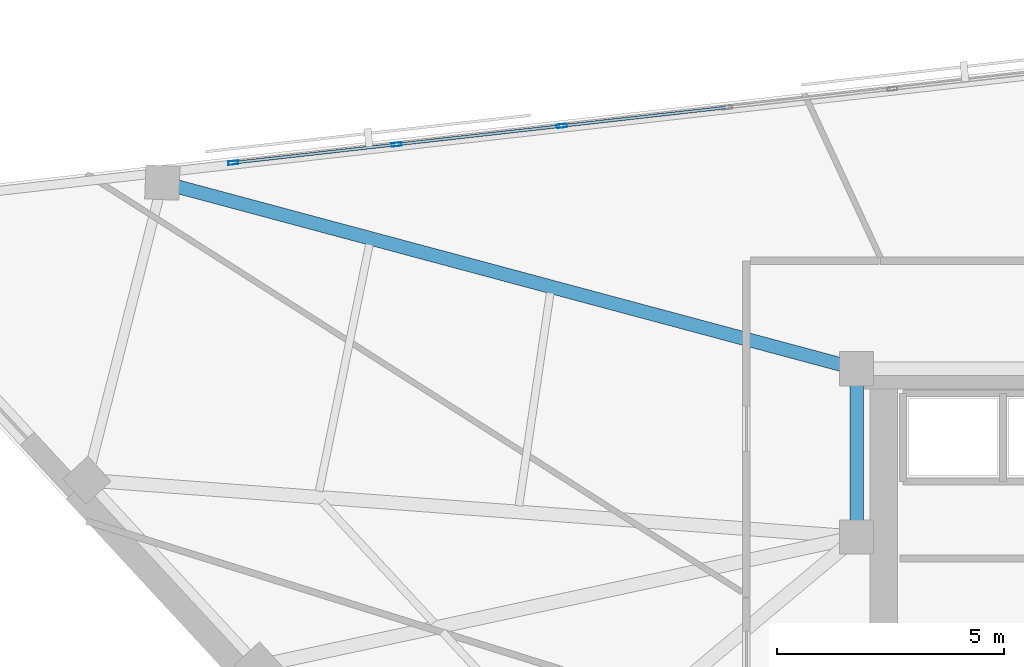
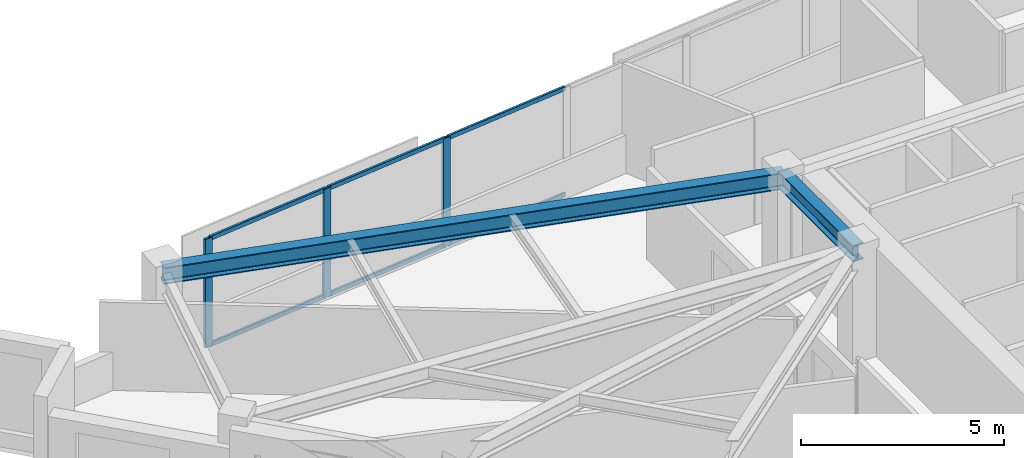
# One storey, part 2 of 13: 9 members, 2 beams, 1 element without a shape of its own.
"""IFC4 building model written with IfcOpenShell, lengths in metres."""

from ifc_helpers import new_model, si_unit, direction, frame, origin, origin_2d, place, context, subcontext, project, spatial, hollow_rectangle, i_section, extrude, material, material_profile, profile_set, type_object, element, aggregate, save


model = new_model("IFC4")

# Units and contexts
model_context = context("Model", 3, precision=1e-05, world=origin(), true_north=direction((0.0, 1.0)))
body_context = subcontext(model_context, "Body", "Model", "MODEL_VIEW")
ifc_project = project(units=[si_unit("LENGTHUNIT", "METRE"), si_unit("AREAUNIT", "SQUARE_METRE"), si_unit("VOLUMEUNIT", "CUBIC_METRE"), si_unit("PLANEANGLEUNIT", "RADIAN"), si_unit("MASSUNIT", "GRAM", prefix="KILO")], contexts=[model_context])

# Site, building, storey
site_placement = place(None, origin())
site = spatial("IfcSite", under=ifc_project, at=site_placement, CompositionType="ELEMENT")
building_placement = place(site_placement, origin())
building = spatial("IfcBuilding", under=site, at=building_placement, Name="Narakoshi Arena Tower", CompositionType="ELEMENT")
storey_placement = place(building_placement, frame((0.0, 0.0, 271.300048828125)))
storey = spatial("IfcBuildingStorey", under=building, at=storey_placement, Name="L74", CompositionType="ELEMENT", Elevation=271.300048828125)

# Beams
ifc_material_1 = material(Name="Structural steel S355J2", Category="steel")
ifc_material_profile_1 = material_profile(ifc_material_1, i_section(OverallWidth=0.300048828125, OverallDepth=0.5, WebThickness=0.014404296875, FlangeThickness=0.028076171875, FilletRadius=0.027099609375, at=origin_2d()), Name="HE500B")
ifc_profile_set_1 = profile_set([ifc_material_profile_1], Name="Structural steel S355J2")
beam_type = type_object("IfcBeamType", Name="BM-PRI-500", PredefinedType="BEAM", material=ifc_profile_set_1)
beam_1_placement = place(storey_placement, frame((72.0, 56.5, 3.010009765625), z_axis=(-0.965877018817, 0.259001128418, 0.0), x_axis=(-0.259001128418, -0.965877018817, 0.0)))
element("IfcBeam", 1, at=beam_1_placement, inside=storey, type_object=beam_type, Name="L74 Radial Primary Floor Girder 08", PredefinedType="BEAM", context=body_context, shape_type="SweptSolid", body=[
    extrude(i_section(OverallWidth=0.300048828125, OverallDepth=0.5, WebThickness=0.014404296875, FlangeThickness=0.028076171875, FilletRadius=0.027099609375, at=origin_2d()), origin(), (0.0, 0.0, 1.0), 15.822998046875),
])
beam_2_placement = place(storey_placement, frame((72.0, 52.800048828125, 3.010009765625), z_axis=(0.0, 1.0, 0.0), x_axis=(-1.0, 0.0, 0.0)))
element("IfcBeam", 2, at=beam_2_placement, inside=storey, type_object=beam_type, Name="L74 Core Perimeter Frame Beam CC4-CC5", PredefinedType="BEAM", context=body_context, shape_type="SweptSolid", body=[
    extrude(i_section(OverallWidth=0.300048828125, OverallDepth=0.5, WebThickness=0.014404296875, FlangeThickness=0.028076171875, FilletRadius=0.027099609375, at=origin_2d()), origin(), (0.0, 0.0, 1.0), 3.699951171875),
])

# Curtain wall, members
ifc_material_2 = material(Name="Anodised bronze aluminium 6063-T6", Category="aluminium")
curtain_wall_type = type_object("IfcCurtainWallType", Name="CW-HYP-HIGH", PredefinedType="NOTDEFINED", material=ifc_material_2)
curtain_wall_placement = place(storey_placement, origin())
curtain_wall = element("IfcCurtainWall", 3, at=curtain_wall_placement, inside=storey, type_object=curtain_wall_type, Name="L74 Folded Hypotenuse Curtain Wall 2-1", PredefinedType="NOTDEFINED")
ifc_material_profile_2 = material_profile(ifc_material_2, hollow_rectangle(XDim=0.080078125, YDim=0.219970703125, WallThickness=0.0048828125, OuterFilletRadius=0.006103515625, at=origin_2d()), Name="MUL220x80x5")
ifc_profile_set_2 = profile_set([ifc_material_profile_2], Name="Anodised bronze aluminium 6063-T6")
member_type_1 = type_object("IfcMemberType", Name="MEM-MUL-220", PredefinedType="MULLION", material=ifc_profile_set_2)
member_1_placement = place(storey_placement, frame((65.51123046875, 61.845458984375, 0.0), z_axis=(0.0, 0.0, 1.0), x_axis=(0.111396496086, -0.9937760415, 0.0)))
member_1 = element("IfcMember", 4, at=member_1_placement, type_object=member_type_1, Name="CW-03 mullion 5", PredefinedType="MULLION", context=body_context, shape_type="SweptSolid", body=[
    extrude(hollow_rectangle(XDim=0.080078125, YDim=0.219970703125, WallThickness=0.0048828125, OuterFilletRadius=0.006103515625, at=origin_2d()), origin(), (0.0, 0.0, 1.0), 3.260009765625),
])
member_2_placement = place(storey_placement, frame((61.873779296875, 61.437744140625, 0.0), z_axis=(0.0, 0.0, 1.0), x_axis=(0.111396496086, -0.9937760415, 0.0)))
member_2 = element("IfcMember", 5, at=member_2_placement, type_object=member_type_1, Name="CW-03 mullion 6", PredefinedType="MULLION", context=body_context, shape_type="SweptSolid", body=[
    extrude(hollow_rectangle(XDim=0.080078125, YDim=0.219970703125, WallThickness=0.0048828125, OuterFilletRadius=0.006103515625, at=origin_2d()), origin(), (0.0, 0.0, 1.0), 3.260009765625),
])
member_3_placement = place(storey_placement, frame((58.27587890625, 61.034423828125, 0.0), z_axis=(0.0, 0.0, 1.0), x_axis=(0.111396496086, -0.9937760415, 0.0)))
member_3 = element("IfcMember", 6, at=member_3_placement, type_object=member_type_1, Name="CW-03 mullion 7", PredefinedType="MULLION", context=body_context, shape_type="SweptSolid", body=[
    extrude(hollow_rectangle(XDim=0.080078125, YDim=0.219970703125, WallThickness=0.0048828125, OuterFilletRadius=0.006103515625, at=origin_2d()), origin(), (0.0, 0.0, 1.0), 3.260009765625),
])
ifc_material_profile_3 = material_profile(ifc_material_2, hollow_rectangle(XDim=0.06494140625, YDim=0.1298828125, WallThickness=0.00390625, OuterFilletRadius=0.0048828125, at=origin_2d()), Name="TRN130x65x4")
ifc_profile_set_3 = profile_set([ifc_material_profile_3], Name="Anodised bronze aluminium 6063-T6")
member_type_2 = type_object("IfcMemberType", Name="MEM-TRN-130", PredefinedType="USERDEFINED", material=ifc_profile_set_3)
member_4_placement = place(storey_placement, frame((69.109130859375, 62.248779296875, 0.032470703125), z_axis=(-0.99377347748, -0.111419367518, 0.0), x_axis=(0.111419367518, -0.99377347748, 0.0)))
member_4 = element("IfcMember", 7, at=member_4_placement, type_object=member_type_2, Name="CW-03 transom 4.1", ObjectType="TRANSOM", PredefinedType="USERDEFINED", context=body_context, shape_type="SweptSolid", body=[
    extrude(hollow_rectangle(XDim=0.06494140625, YDim=0.1298828125, WallThickness=0.00390625, OuterFilletRadius=0.0048828125, at=origin_2d()), origin(), (0.0, 0.0, 1.0), 3.580322265625),
])
member_5_placement = place(storey_placement, frame((69.109130859375, 62.248779296875, 3.2275390625), z_axis=(-0.99377347748, -0.111419367518, 0.0), x_axis=(0.111419367518, -0.99377347748, 0.0)))
member_5 = element("IfcMember", 8, at=member_5_placement, type_object=member_type_2, Name="CW-03 transom 4.2", ObjectType="TRANSOM", PredefinedType="USERDEFINED", context=body_context, shape_type="SweptSolid", body=[
    extrude(hollow_rectangle(XDim=0.06494140625, YDim=0.1298828125, WallThickness=0.00390625, OuterFilletRadius=0.0048828125, at=origin_2d()), origin(), (0.0, 0.0, 1.0), 3.580322265625),
])
member_6_placement = place(storey_placement, frame((65.471435546875, 61.841064453125, 0.032470703125), z_axis=(-0.99377347748, -0.111419367518, 0.0), x_axis=(0.111419367518, -0.99377347748, 0.0)))
member_6 = element("IfcMember", 9, at=member_6_placement, type_object=member_type_2, Name="CW-03 transom 5.1", ObjectType="TRANSOM", PredefinedType="USERDEFINED", context=body_context, shape_type="SweptSolid", body=[
    extrude(hollow_rectangle(XDim=0.06494140625, YDim=0.1298828125, WallThickness=0.00390625, OuterFilletRadius=0.0048828125, at=origin_2d()), origin(), (0.0, 0.0, 1.0), 3.580322265625),
])
member_7_placement = place(storey_placement, frame((65.471435546875, 61.841064453125, 3.2275390625), z_axis=(-0.99377347748, -0.111419367518, 0.0), x_axis=(0.111419367518, -0.99377347748, 0.0)))
member_7 = element("IfcMember", 10, at=member_7_placement, type_object=member_type_2, Name="CW-03 transom 5.2", ObjectType="TRANSOM", PredefinedType="USERDEFINED", context=body_context, shape_type="SweptSolid", body=[
    extrude(hollow_rectangle(XDim=0.06494140625, YDim=0.1298828125, WallThickness=0.00390625, OuterFilletRadius=0.0048828125, at=origin_2d()), origin(), (0.0, 0.0, 1.0), 3.580322265625),
])
member_8_placement = place(storey_placement, frame((61.833984375, 61.433349609375, 0.032470703125), z_axis=(-0.9937713764, -0.11143810591, 0.0), x_axis=(0.11143810591, -0.9937713764, 0.0)))
member_8 = element("IfcMember", 11, at=member_8_placement, type_object=member_type_2, Name="CW-03 transom 6.1", ObjectType="TRANSOM", PredefinedType="USERDEFINED", context=body_context, shape_type="SweptSolid", body=[
    extrude(hollow_rectangle(XDim=0.06494140625, YDim=0.1298828125, WallThickness=0.00390625, OuterFilletRadius=0.0048828125, at=origin_2d()), origin(), (0.0, 0.0, 1.0), 3.540283203125),
])
member_9_placement = place(storey_placement, frame((61.833984375, 61.433349609375, 3.2275390625), z_axis=(-0.9937713764, -0.11143810591, 0.0), x_axis=(0.11143810591, -0.9937713764, 0.0)))
member_9 = element("IfcMember", 12, at=member_9_placement, type_object=member_type_2, Name="CW-03 transom 6.2", ObjectType="TRANSOM", PredefinedType="USERDEFINED", context=body_context, shape_type="SweptSolid", body=[
    extrude(hollow_rectangle(XDim=0.06494140625, YDim=0.1298828125, WallThickness=0.00390625, OuterFilletRadius=0.0048828125, at=origin_2d()), origin(), (0.0, 0.0, 1.0), 3.540283203125),
])
aggregate(curtain_wall, [member_1, member_2, member_3, member_4, member_5, member_6, member_7, member_8, member_9])

save(model, "model.ifc")
